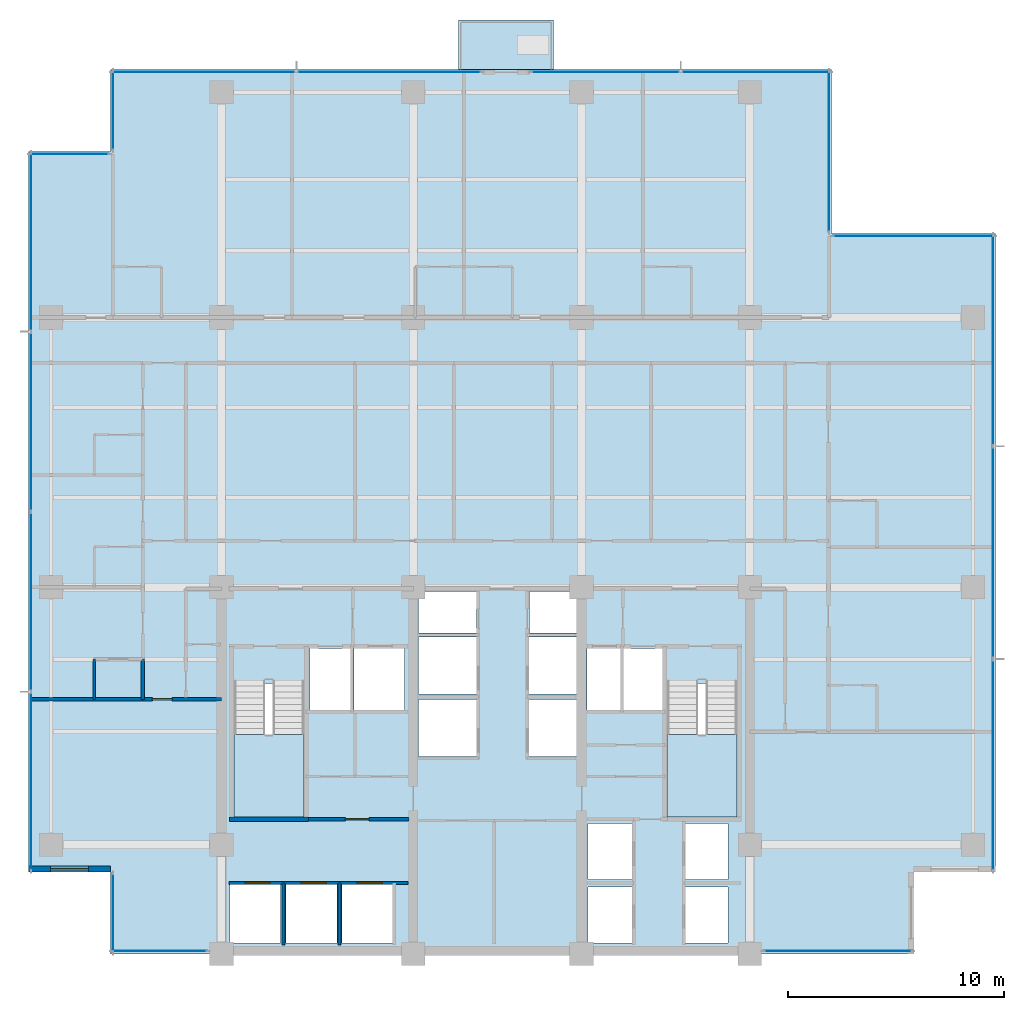
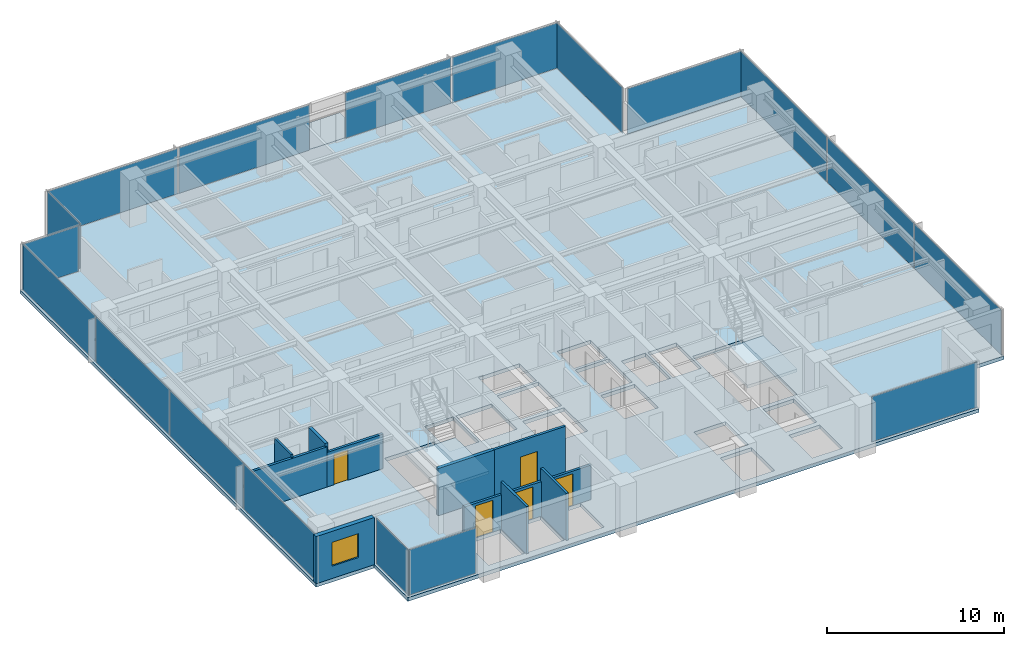
# One storey, part 6 of 16: 18 plates, 10 walls, 5 doors, 4 slabs, 1 window, 6 openings, 13 elements without a shape of their own.
"""IFC4 building model written with IfcOpenShell, lengths in metres."""

import ifcopenshell
import ifcopenshell.guid

model = None  # the IFC model being written
_history = None  # IfcOwnerHistory: only IFC2X3 demands one
_inside = {}  # id of a spatial element -> (the spatial element, [elements in it])
_under = {}  # id of a project, library or spatial element -> (it, [spatial elements below it])
_declared = {}  # id of a project -> (the project, [libraries it declares])
_typed = {}  # id of a type object -> (the type object, [elements of that type])
_made_of = {}  # id of a material, layer set ... -> (it, [elements and type objects made of it])


def new_model(schema):
    """Start an empty IFC model of exactly this schema.

    Asked for "IFC4X3", IfcOpenShell would pick the latest addendum, in which some entities
    have other attributes; the version numbers below select the first issue.
    IFC2X3 requires an IfcOwnerHistory on every rooted entity: one is made here for all.
    """
    global model, _history
    if schema == "IFC4X3":
        model = ifcopenshell.file(schema_version=(4, 3, 0, 0))
    else:
        model = ifcopenshell.file(schema=schema)
    _inside.clear()
    _under.clear()
    _declared.clear()
    _typed.clear()
    _made_of.clear()
    _history = None
    if model.schema == "IFC2X3":
        org = make("IfcOrganization", Name="unknown")
        user = make(
            "IfcPersonAndOrganization",
            ThePerson=make("IfcPerson", FamilyName="unknown"),
            TheOrganization=org,
        )
        app = make(
            "IfcApplication",
            ApplicationDeveloper=org,
            Version="unknown",
            ApplicationFullName="unknown",
            ApplicationIdentifier="unknown",
        )
        _history = make(
            "IfcOwnerHistory",
            OwningUser=user,
            OwningApplication=app,
            ChangeAction="ADDED",
            CreationDate=0,
        )
    return model


def make(cls, **values):
    """One entity of the class cls with the attributes given. An attribute that is None is left unset."""
    return model.create_entity(
        cls, **{name: value for name, value in values.items() if value is not None}
    )


def rooted(cls, **values):
    """An entity with a GlobalId (a new one), such as an element, a storey or a relation."""
    return make(cls, GlobalId=ifcopenshell.guid.new(), OwnerHistory=_history, **values)


def si_unit(unit_type, name, prefix=None):
    """IfcSIUnit, for example si_unit("LENGTHUNIT", "METRE", prefix="MILLI")."""
    return make("IfcSIUnit", UnitType=unit_type, Prefix=prefix, Name=name)


def assignment(units):
    """IfcUnitAssignment: the units of a project."""
    return None if units is None else make("IfcUnitAssignment", Units=units)


def point(xyz):
    """IfcCartesianPoint."""
    return None if xyz is None else make("IfcCartesianPoint", Coordinates=xyz)


def direction(xyz):
    """IfcDirection."""
    return None if xyz is None else make("IfcDirection", DirectionRatios=xyz)


def frame(location, z_axis=None, x_axis=None):
    """IfcAxis2Placement3D, a coordinate frame: its origin and axes. An axis left out is left unset."""
    return make(
        "IfcAxis2Placement3D",
        Location=point(location),
        Axis=direction(z_axis),
        RefDirection=direction(x_axis),
    )


def frame_2d(location, x_axis=None):
    """IfcAxis2Placement2D, a coordinate frame in the plane: its origin and x axis."""
    return make(
        "IfcAxis2Placement2D", Location=point(location), RefDirection=direction(x_axis)
    )


def origin():
    """The frame at (0, 0, 0) with its axes left unset."""
    return frame((0.0, 0.0, 0.0))


def origin_2d():
    """The frame at (0, 0) in the plane with its x axis left unset."""
    return frame_2d((0.0, 0.0))


def place(relative_to, where):
    """IfcLocalPlacement: puts the frame where relative to a parent placement (None: the world)."""
    return make(
        "IfcLocalPlacement", PlacementRelTo=relative_to, RelativePlacement=where
    )


def context(
    kind, dimensions, precision=None, world=None, true_north=None, identifier=None
):
    """IfcGeometricRepresentationContext, for example the 3D "Model" context."""
    return make(
        "IfcGeometricRepresentationContext",
        ContextIdentifier=identifier,
        ContextType=kind,
        CoordinateSpaceDimension=dimensions,
        Precision=precision,
        WorldCoordinateSystem=world,
        TrueNorth=true_north,
    )


def subcontext(parent, identifier, kind, view, scale=None):
    """IfcGeometricRepresentationSubContext, for example "Body" below "Model"."""
    return make(
        "IfcGeometricRepresentationSubContext",
        ContextIdentifier=identifier,
        ContextType=kind,
        ParentContext=parent,
        TargetScale=scale,
        TargetView=view,
    )


def project(units=None, contexts=None):
    """IfcProject with its units and contexts."""
    return rooted(
        "IfcProject",
        Name="project",
        RepresentationContexts=contexts,
        UnitsInContext=assignment(units),
    )


def spatial(cls, under=None, at=None, **own):
    """A site, building, storey or space (cls), placed at a placement, below another one or the project."""
    s = rooted(cls, ObjectPlacement=at, **own)
    if under is not None:
        _under.setdefault(under.id(), (under, []))[1].append(s)
    return s


def polyline(points):
    """IfcPolyline through the points."""
    return make("IfcPolyline", Points=[point(p) for p in points])


def profile(cls, at=None, kind="AREA", **sizes):
    """A parametric profile (cls). Its sizes go by their IFC names, for example OverallWidth=200.0."""
    return make(cls, ProfileType=kind, Position=at, **sizes)


def rectangle(**sizes):
    """IfcRectangleProfileDef."""
    return profile("IfcRectangleProfileDef", **sizes)


def outline(outer, holes=None, kind="AREA"):
    """IfcArbitraryClosedProfileDef: a profile drawn as a closed curve; with holes, ...WithVoids."""
    if holes is None:
        return make("IfcArbitraryClosedProfileDef", ProfileType=kind, OuterCurve=outer)
    return make(
        "IfcArbitraryProfileDefWithVoids",
        ProfileType=kind,
        OuterCurve=outer,
        InnerCurves=holes,
    )


def extrude(swept, where, along, depth):
    """IfcExtrudedAreaSolid: the profile swept, set in the frame where, extruded along a direction by depth."""
    return make(
        "IfcExtrudedAreaSolid",
        SweptArea=swept,
        Position=where,
        ExtrudedDirection=direction(along),
        Depth=depth,
    )


def shape(context_of_items, identifier, shape_type, items):
    """IfcShapeRepresentation: the items that make up one representation, for example the "Body"."""
    return make(
        "IfcShapeRepresentation",
        ContextOfItems=context_of_items,
        RepresentationIdentifier=identifier,
        RepresentationType=shape_type,
        Items=items,
    )


def material(Name=None, Category=None):
    """IfcMaterial."""
    return make("IfcMaterial", Name=Name, Category=Category)


def layer(
    of_material, thickness, ventilated=None, Name=None, Category=None, Priority=None
):
    """IfcMaterialLayer: one layer of a wall or slab, of a material (None: an air gap)."""
    return make(
        "IfcMaterialLayer",
        Material=of_material,
        LayerThickness=thickness,
        IsVentilated=ventilated,
        Name=Name,
        Category=Category,
        Priority=Priority,
    )


def layer_set(layers, Name=None):
    """IfcMaterialLayerSet."""
    return make("IfcMaterialLayerSet", MaterialLayers=layers, LayerSetName=Name)


def made_of(thing, what):
    """Note that an element or type object is made of a material, layer set ...; save() writes the relation."""
    if what is not None:
        _made_of.setdefault(what.id(), (what, []))[1].append(thing)
    return thing


def type_object(cls, material=None, **own):
    """A type object (cls), such as IfcWallType, which elements share."""
    return made_of(rooted(cls, **own), material)


def element(
    cls,
    number,
    at=None,
    inside=None,
    cuts=None,
    type_object=None,
    material=None,
    context=None,
    identifier="Body",
    shape_type=None,
    held_by="IfcProductDefinitionShape",
    body=None,
    shapes=None,
    **own,
):
    """One element of the class cls, such as IfcWall. Its Tag is "e" and its number.

    at: its placement. inside: the storey or other place that contains it. cuts: it is an
    opening in that element (IfcRelVoidsElement). A single representation is given by context,
    identifier, shape_type and body (its items); several are given by shapes. held_by: the class
    of the entity that holds the representations. save() writes the other relations.
    """
    e = rooted(cls, Tag="e%d" % number, ObjectPlacement=at, **own)
    if body is not None:
        shapes = [shape(context, identifier, shape_type, body)]
    if shapes is not None:
        e.Representation = make(held_by, Representations=shapes)
    if inside is not None:
        _inside.setdefault(inside.id(), (inside, []))[1].append(e)
    if cuts is not None:
        rooted(
            "IfcRelVoidsElement", RelatingBuildingElement=cuts, RelatedOpeningElement=e
        )
    if type_object is not None:
        _typed.setdefault(type_object.id(), (type_object, []))[1].append(e)
    return made_of(e, material)


def fill(opening, filler):
    """IfcRelFillsElement: the door or window that sits in an opening."""
    return rooted(
        "IfcRelFillsElement",
        RelatingOpeningElement=opening,
        RelatedBuildingElement=filler,
    )


def aggregate(whole, parts):
    """IfcRelAggregates: a whole, such as a stair, and the parts it consists of."""
    return rooted("IfcRelAggregates", RelatingObject=whole, RelatedObjects=parts)


def save(model, path):
    """Write the relations noted so far, then the file.

    IfcRelAggregates (storeys below a building ...), IfcRelContainedInSpatialStructure (elements
    in a storey), IfcRelDefinesByType, IfcRelAssociatesMaterial and IfcRelDeclares: one each for
    every whole, place, type object, material and project.
    """
    for whole, parts in _under.values():
        aggregate(whole, parts)
    for where, things in _inside.values():
        rooted(
            "IfcRelContainedInSpatialStructure",
            RelatedElements=things,
            RelatingStructure=where,
        )
    for kind, things in _typed.values():
        rooted("IfcRelDefinesByType", RelatedObjects=things, RelatingType=kind)
    for what, things in _made_of.values():
        rooted("IfcRelAssociatesMaterial", RelatedObjects=things, RelatingMaterial=what)
    for by, libraries in _declared.values():
        rooted("IfcRelDeclares", RelatingContext=by, RelatedDefinitions=libraries)
    model.write(path)


model = new_model("IFC4")

# Units and contexts
model_context = context("Model", 3, precision=1e-05, world=origin(), true_north=direction((0.0, 1.0)))
body_context = subcontext(model_context, "Body", "Model", "MODEL_VIEW")
ifc_project = project(units=[si_unit("LENGTHUNIT", "METRE"), si_unit("AREAUNIT", "SQUARE_METRE"), si_unit("VOLUMEUNIT", "CUBIC_METRE"), si_unit("PLANEANGLEUNIT", "RADIAN"), si_unit("MASSUNIT", "GRAM", prefix="KILO")], contexts=[model_context])

# Site, building, storey
site_placement = place(None, origin())
site = spatial("IfcSite", under=ifc_project, at=site_placement, CompositionType="ELEMENT")
building_placement = place(site_placement, origin())
building = spatial("IfcBuilding", under=site, at=building_placement, Name="Qalmaran Belvedere Hotel", CompositionType="ELEMENT")
storey_placement = place(building_placement, frame((0.0, 0.0, 145.60009765625)))
storey = spatial("IfcBuildingStorey", under=building, at=storey_placement, Name="L36", CompositionType="ELEMENT", Elevation=145.60009765625)

# Curtain wall, plate
ifc_material_1 = material(Name="Anodised Bronze Aluminium", Category="aluminium")
ifc_layer_1 = layer(ifc_material_1, 0.195068359375, Name="Anodised Bronze Aluminium")
ifc_layer_set_1 = layer_set([ifc_layer_1], Name="Anodised Bronze Aluminium")
curtain_wall_type = type_object("IfcCurtainWallType", Name="CW4-TOWER-HIGHMID", PredefinedType="NOTDEFINED", material=ifc_layer_set_1)
curtain_wall_1_placement = place(storey_placement, origin())
curtain_wall_1 = element("IfcCurtainWall", 1, at=curtain_wall_1_placement, inside=storey, type_object=curtain_wall_type, Name="L36 Curtain Wall CW4", PredefinedType="NOTDEFINED")
ifc_material_2 = material(Name="Solar-Control Double Glazing", Category="glass")
ifc_layer_2 = layer(ifc_material_2, 0.028076171875, Name="Solar-Control Double Glazing")
ifc_layer_set_2 = layer_set([ifc_layer_2], Name="Solar-Control Double Glazing")
plate_type = type_object("IfcPlateType", Name="CWP-VISION-28", PredefinedType="CURTAIN_PANEL", material=ifc_layer_set_2)
plate_1_placement = place(storey_placement, frame((17.429931640625, 3.6201171875, 0.06494140625), z_axis=(0.0, 0.0, 1.0), x_axis=(1.0, 0.0, 0.0)))
plate_1 = element("IfcPlate", 2, at=plate_1_placement, type_object=plate_type, Name="CW4 panel 1.1", PredefinedType="CURTAIN_PANEL", context=body_context, shape_type="SweptSolid", body=[
    extrude(rectangle(XDim=4.419921875, YDim=0.028076171875, at=origin_2d()), origin(), (0.0, 0.0, 1.0), 3.1201171875),
])
aggregate(curtain_wall_1, [plate_1])

curtain_wall_2_placement = place(storey_placement, origin())
curtain_wall_2 = element("IfcCurtainWall", 3, at=curtain_wall_2_placement, inside=storey, type_object=curtain_wall_type, Name="L36 Curtain Wall CW4", PredefinedType="NOTDEFINED")
plate_2_placement = place(storey_placement, frame((48.89501953125, 3.6201171875, 0.06494140625), z_axis=(0.0, 0.0, 1.0), x_axis=(1.0, 0.0, 0.0)))
plate_2 = element("IfcPlate", 4, at=plate_2_placement, type_object=plate_type, Name="CW4 panel 1.1", PredefinedType="CURTAIN_PANEL", context=body_context, shape_type="SweptSolid", body=[
    extrude(rectangle(XDim=6.8701171875, YDim=0.028076171875, at=origin_2d()), origin(), (0.0, 0.0, 1.0), 3.1201171875),
])
aggregate(curtain_wall_2, [plate_2])

# Curtain wall, plates
curtain_wall_3_placement = place(storey_placement, origin())
curtain_wall_3 = element("IfcCurtainWall", 5, at=curtain_wall_3_placement, inside=storey, type_object=curtain_wall_type, Name="L36 Curtain Wall CW4", PredefinedType="NOTDEFINED")
plate_3_placement = place(storey_placement, frame((56.080078125, 12.250732421875, 0.06494140625), z_axis=(0.0, 0.0, 1.0), x_axis=(0.0, 1.0, 0.0)))
plate_3 = element("IfcPlate", 6, at=plate_3_placement, type_object=plate_type, Name="CW4 panel 1.1", PredefinedType="CURTAIN_PANEL", context=body_context, shape_type="SweptSolid", body=[
    extrude(rectangle(XDim=9.76171875, YDim=0.028076171875, at=origin_2d()), origin(), (0.0, 0.0, 1.0), 3.1201171875),
])
plate_4_placement = place(storey_placement, frame((56.080078125, 22.10009765625, 0.06494140625), z_axis=(0.0, 0.0, 1.0), x_axis=(0.0, 1.0, 0.0)))
plate_4 = element("IfcPlate", 7, at=plate_4_placement, type_object=plate_type, Name="CW4 panel 2.1", PredefinedType="CURTAIN_PANEL", context=body_context, shape_type="SweptSolid", body=[
    extrude(rectangle(XDim=9.796630859375, YDim=0.028076171875, at=origin_2d()), origin(), (0.0, 0.0, 1.0), 3.1201171875),
])
plate_5_placement = place(storey_placement, frame((56.080078125, 31.94921875, 0.06494140625), z_axis=(0.0, 0.0, 1.0), x_axis=(0.0, 1.0, 0.0)))
plate_5 = element("IfcPlate", 8, at=plate_5_placement, type_object=plate_type, Name="CW4 panel 3.1", PredefinedType="CURTAIN_PANEL", context=body_context, shape_type="SweptSolid", body=[
    extrude(rectangle(XDim=9.76171875, YDim=0.028076171875, at=origin_2d()), origin(), (0.0, 0.0, 1.0), 3.1201171875),
])
aggregate(curtain_wall_3, [plate_3, plate_4, plate_5])

# Curtain wall, plate
curtain_wall_4_placement = place(storey_placement, origin())
curtain_wall_4 = element("IfcCurtainWall", 9, at=curtain_wall_4_placement, inside=storey, type_object=curtain_wall_type, Name="L36 Curtain Wall CW4", PredefinedType="NOTDEFINED")
plate_6_placement = place(storey_placement, frame((52.39990234375, 36.780029296875, 0.06494140625), z_axis=(0.0, 0.0, 1.0), x_axis=(-1.0, 0.0, 0.0)))
plate_6 = element("IfcPlate", 10, at=plate_6_placement, type_object=plate_type, Name="CW4 panel 1.1", PredefinedType="CURTAIN_PANEL", context=body_context, shape_type="SweptSolid", body=[
    extrude(rectangle(XDim=7.4599609375, YDim=0.028076171875, at=origin_2d()), origin(), (0.0, 0.0, 1.0), 3.1201171875),
])
aggregate(curtain_wall_4, [plate_6])

curtain_wall_5_placement = place(storey_placement, origin())
curtain_wall_5 = element("IfcCurtainWall", 11, at=curtain_wall_5_placement, inside=storey, type_object=curtain_wall_type, Name="L36 Curtain Wall CW4", PredefinedType="NOTDEFINED")
plate_7_placement = place(storey_placement, frame((48.47998046875, 40.699951171875, 0.06494140625), z_axis=(0.0, 0.0, 1.0), x_axis=(0.0, 1.0, 0.0)))
plate_7 = element("IfcPlate", 12, at=plate_7_placement, type_object=plate_type, Name="CW4 panel 1.1", PredefinedType="CURTAIN_PANEL", context=body_context, shape_type="SweptSolid", body=[
    extrude(rectangle(XDim=7.4599609375, YDim=0.028076171875, at=origin_2d()), origin(), (0.0, 0.0, 1.0), 3.1201171875),
])
aggregate(curtain_wall_5, [plate_7])

# Curtain wall, plates
curtain_wall_6_placement = place(storey_placement, origin())
curtain_wall_6 = element("IfcCurtainWall", 13, at=curtain_wall_6_placement, inside=storey, type_object=curtain_wall_type, Name="L36 Curtain Wall CW4", PredefinedType="NOTDEFINED")
plate_8_placement = place(storey_placement, frame((28.070068359375, 44.3798828125, 0.06494140625), z_axis=(0.0, 0.0, 1.0), x_axis=(-1.0, 0.0, 0.0)))
plate_8 = element("IfcPlate", 14, at=plate_8_placement, type_object=plate_type, Name="CW4 panel 1.1", PredefinedType="CURTAIN_PANEL", context=body_context, shape_type="SweptSolid", body=[
    extrude(rectangle(XDim=8.52001953125, YDim=0.028076171875, at=origin_2d()), origin(), (0.0, 0.0, 1.0), 3.1201171875),
])
plate_9_placement = place(storey_placement, frame((19.47998046875, 44.3798828125, 0.06494140625), z_axis=(0.0, 0.0, 1.0), x_axis=(-1.0, 0.0, 0.0)))
plate_9 = element("IfcPlate", 15, at=plate_9_placement, type_object=plate_type, Name="CW4 panel 2.1", PredefinedType="CURTAIN_PANEL", context=body_context, shape_type="SweptSolid", body=[
    extrude(rectangle(XDim=8.52001953125, YDim=0.028076171875, at=origin_2d()), origin(), (0.0, 0.0, 1.0), 3.1201171875),
])
aggregate(curtain_wall_6, [plate_8, plate_9])

curtain_wall_7_placement = place(storey_placement, origin())
curtain_wall_7 = element("IfcCurtainWall", 16, at=curtain_wall_7_placement, inside=storey, type_object=curtain_wall_type, Name="L36 Curtain Wall CW4", PredefinedType="NOTDEFINED")
plate_10_placement = place(storey_placement, frame((45.08251953125, 44.3798828125, 0.06494140625), z_axis=(0.0, 0.0, 1.0), x_axis=(-1.0, 0.0, 0.0)))
plate_10 = element("IfcPlate", 17, at=plate_10_placement, type_object=plate_type, Name="CW4 panel 1.1", PredefinedType="CURTAIN_PANEL", context=body_context, shape_type="SweptSolid", body=[
    extrude(rectangle(XDim=6.89501953125, YDim=0.028076171875, at=origin_2d()), origin(), (0.0, 0.0, 1.0), 3.1201171875),
])
plate_11_placement = place(storey_placement, frame((38.117431640625, 44.3798828125, 0.06494140625), z_axis=(0.0, 0.0, 1.0), x_axis=(-1.0, 0.0, 0.0)))
plate_11 = element("IfcPlate", 18, at=plate_11_placement, type_object=plate_type, Name="CW4 panel 2.1", PredefinedType="CURTAIN_PANEL", context=body_context, shape_type="SweptSolid", body=[
    extrude(rectangle(XDim=6.89501953125, YDim=0.028076171875, at=origin_2d()), origin(), (0.0, 0.0, 1.0), 3.1201171875),
])
aggregate(curtain_wall_7, [plate_10, plate_11])

# Curtain wall, plate
curtain_wall_8_placement = place(storey_placement, origin())
curtain_wall_8 = element("IfcCurtainWall", 19, at=curtain_wall_8_placement, inside=storey, type_object=curtain_wall_type, Name="L36 Curtain Wall CW4", PredefinedType="NOTDEFINED")
plate_12_placement = place(storey_placement, frame((15.27001953125, 42.60009765625, 0.06494140625), z_axis=(0.0, 0.0, 1.0), x_axis=(0.0, -1.0, 0.0)))
plate_12 = element("IfcPlate", 20, at=plate_12_placement, type_object=plate_type, Name="CW4 panel 1.1", PredefinedType="CURTAIN_PANEL", context=body_context, shape_type="SweptSolid", body=[
    extrude(rectangle(XDim=3.659912109375, YDim=0.028076171875, at=origin_2d()), origin(), (0.0, 0.0, 1.0), 3.1201171875),
])
aggregate(curtain_wall_8, [plate_12])

curtain_wall_9_placement = place(storey_placement, origin())
curtain_wall_9 = element("IfcCurtainWall", 21, at=curtain_wall_9_placement, inside=storey, type_object=curtain_wall_type, Name="L36 Curtain Wall CW4", PredefinedType="NOTDEFINED")
plate_13_placement = place(storey_placement, frame((13.25, 40.580078125, 0.06494140625), z_axis=(0.0, 0.0, 1.0), x_axis=(-1.0, 0.0, 0.0)))
plate_13 = element("IfcPlate", 22, at=plate_13_placement, type_object=plate_type, Name="CW4 panel 1.1", PredefinedType="CURTAIN_PANEL", context=body_context, shape_type="SweptSolid", body=[
    extrude(rectangle(XDim=3.659912109375, YDim=0.028076171875, at=origin_2d()), origin(), (0.0, 0.0, 1.0), 3.1201171875),
])
aggregate(curtain_wall_9, [plate_13])

# Curtain wall, plates
curtain_wall_10_placement = place(storey_placement, origin())
curtain_wall_10 = element("IfcCurtainWall", 23, at=curtain_wall_10_placement, inside=storey, type_object=curtain_wall_type, Name="L36 Curtain Wall CW4", PredefinedType="NOTDEFINED")
plate_14_placement = place(storey_placement, frame((11.469970703125, 36.507568359375, 0.06494140625), z_axis=(0.0, 0.0, 1.0), x_axis=(0.0, -1.0, 0.0)))
plate_14 = element("IfcPlate", 24, at=plate_14_placement, type_object=plate_type, Name="CW4 panel 1.1", PredefinedType="CURTAIN_PANEL", context=body_context, shape_type="SweptSolid", body=[
    extrude(rectangle(XDim=8.2451171875, YDim=0.028076171875, at=origin_2d()), origin(), (0.0, 0.0, 1.0), 3.1201171875),
])
plate_15_placement = place(storey_placement, frame((11.469970703125, 28.175048828125, 0.06494140625), z_axis=(0.0, 0.0, 1.0), x_axis=(0.0, -1.0, 0.0)))
plate_15 = element("IfcPlate", 25, at=plate_15_placement, type_object=plate_type, Name="CW4 panel 2.1", PredefinedType="CURTAIN_PANEL", context=body_context, shape_type="SweptSolid", body=[
    extrude(rectangle(XDim=8.280029296875, YDim=0.028076171875, at=origin_2d()), origin(), (0.0, 0.0, 1.0), 3.1201171875),
])
plate_16_placement = place(storey_placement, frame((11.469970703125, 19.824951171875, 0.06494140625), z_axis=(0.0, 0.0, 1.0), x_axis=(0.0, -1.0, 0.0)))
plate_16 = element("IfcPlate", 26, at=plate_16_placement, type_object=plate_type, Name="CW4 panel 3.1", PredefinedType="CURTAIN_PANEL", context=body_context, shape_type="SweptSolid", body=[
    extrude(rectangle(XDim=8.280029296875, YDim=0.028076171875, at=origin_2d()), origin(), (0.0, 0.0, 1.0), 3.1201171875),
])
plate_17_placement = place(storey_placement, frame((11.469970703125, 11.492431640625, 0.06494140625), z_axis=(0.0, 0.0, 1.0), x_axis=(0.0, -1.0, 0.0)))
plate_17 = element("IfcPlate", 27, at=plate_17_placement, type_object=plate_type, Name="CW4 panel 4.1", PredefinedType="CURTAIN_PANEL", context=body_context, shape_type="SweptSolid", body=[
    extrude(rectangle(XDim=8.2451171875, YDim=0.028076171875, at=origin_2d()), origin(), (0.0, 0.0, 1.0), 3.1201171875),
])
aggregate(curtain_wall_10, [plate_14, plate_15, plate_16, plate_17])

# Curtain wall, plate
curtain_wall_11_placement = place(storey_placement, origin())
curtain_wall_11 = element("IfcCurtainWall", 28, at=curtain_wall_11_placement, inside=storey, type_object=curtain_wall_type, Name="L36 Curtain Wall CW4", PredefinedType="NOTDEFINED")
plate_18_placement = place(storey_placement, frame((15.27001953125, 5.39990234375, 0.06494140625), z_axis=(0.0, 0.0, 1.0), x_axis=(0.0, -1.0, 0.0)))
plate_18 = element("IfcPlate", 29, at=plate_18_placement, type_object=plate_type, Name="CW4 panel 1.1", PredefinedType="CURTAIN_PANEL", context=body_context, shape_type="SweptSolid", body=[
    extrude(rectangle(XDim=3.659912109375, YDim=0.028076171875, at=origin_2d()), origin(), (0.0, 0.0, 1.0), 3.1201171875),
])
aggregate(curtain_wall_11, [plate_18])

# Slab
ifc_material_3 = material(Name="Concrete C40/50", Category="concrete")
ifc_layer_3 = layer(ifc_material_3, 0.219970703125, Name="Concrete C40/50")
ifc_layer_set_3 = layer_set([ifc_layer_3], Name="Concrete C40/50")
slab_type_1 = type_object("IfcSlabType", Name="SLB-BAL-220", PredefinedType="USERDEFINED", material=ifc_layer_set_3)
slab_1_placement = place(storey_placement, frame((0.0, 0.0, -0.22021484375)))
element("IfcSlab", 30, at=slab_1_placement, inside=storey, type_object=slab_type_1, Name="L36 Planted Tree Balcony Slab 1", ObjectType="BALCONY", PredefinedType="USERDEFINED", context=body_context, shape_type="SweptSolid", body=[
    extrude(outline(polyline([(31.300048828125, 44.5), (35.699951171875, 44.5), (35.699951171875, 46.800048828125), (31.300048828125, 46.800048828125), (31.300048828125, 44.5)])), origin(), (0.0, 0.0, 1.0), 0.22021484375),
])

# Stair, slab
stair_type_1 = type_object("IfcStairType", Name="STR-ST-1-1450-R1750", PredefinedType="HALF_TURN_STAIR", material=ifc_material_3)
stair_1_placement = place(storey_placement, origin())
stair_1 = element("IfcStair", 31, at=stair_1_placement, inside=storey, type_object=stair_type_1, Name="L36 West Core Exit Stair ST-1", PredefinedType="HALF_TURN_STAIR")
ifc_layer_4 = layer(ifc_material_3, 0.199951171875, Name="Concrete C40/50")
ifc_layer_set_4 = layer_set([ifc_layer_4], Name="Concrete C40/50")
slab_type_2 = type_object("IfcSlabType", Name="SLB-STAIR-LANDING-200", PredefinedType="LANDING", material=ifc_layer_set_4)
slab_2_placement = place(storey_placement, frame((0.0, 0.0, 1.5498046875)))
slab_2 = element("IfcSlab", 32, at=slab_2_placement, type_object=slab_type_2, Name="ST-1 landing 1", PredefinedType="LANDING", context=body_context, shape_type="SweptSolid", body=[
    extrude(outline(polyline([(20.8798828125, 13.669921875), (20.8798828125, 9.85009765625), (24.1201171875, 9.85009765625), (24.1201171875, 13.669921875), (20.8798828125, 13.669921875)])), origin(), (0.0, 0.0, 1.0), 0.2001953125),
])
aggregate(stair_1, [slab_2])

stair_type_2 = type_object("IfcStairType", Name="STR-ST-2-1450-R1750", PredefinedType="HALF_TURN_STAIR", material=ifc_material_3)
stair_2_placement = place(storey_placement, origin())
stair_2 = element("IfcStair", 33, at=stair_2_placement, inside=storey, type_object=stair_type_2, Name="L36 East Core Exit Stair ST-2", PredefinedType="HALF_TURN_STAIR")
slab_3_placement = place(storey_placement, frame((0.0, 0.0, 1.5498046875)))
slab_3 = element("IfcSlab", 34, at=slab_3_placement, type_object=slab_type_2, Name="ST-2 landing 1", PredefinedType="LANDING", context=body_context, shape_type="SweptSolid", body=[
    extrude(outline(polyline([(40.9599609375, 13.669921875), (40.9599609375, 9.85009765625), (44.199951171875, 9.85009765625), (44.199951171875, 13.669921875), (40.9599609375, 13.669921875)])), origin(), (0.0, 0.0, 1.0), 0.2001953125),
])
aggregate(stair_2, [slab_3])

# Slab
ifc_layer_5 = layer(ifc_material_3, 0.25, Name="Concrete C40/50")
ifc_layer_set_5 = layer_set([ifc_layer_5], Name="Concrete C40/50")
slab_type_3 = type_object("IfcSlabType", Name="SLB-Z3-250", PredefinedType="FLOOR", material=ifc_layer_set_5)
slab_4_placement = place(storey_placement, frame((0.0, 0.0, -0.25)))
element("IfcSlab", 35, at=slab_4_placement, inside=storey, type_object=slab_type_3, Name="L36 Structural Floor Slab", PredefinedType="FLOOR", context=body_context, shape_type="SweptSolid", body=[
    extrude(outline(polyline([(15.14990234375, 3.5), (52.39990234375, 3.5), (52.39990234375, 7.300048828125), (56.199951171875, 7.300048828125), (56.199951171875, 36.89990234375), (48.60009765625, 36.89990234375), (48.60009765625, 44.5), (15.14990234375, 44.5), (15.14990234375, 40.699951171875), (11.35009765625, 40.699951171875), (11.35009765625, 7.300048828125), (15.14990234375, 7.300048828125), (15.14990234375, 3.5)]), holes=[polyline([(20.8798828125, 9.85009765625), (24.1201171875, 9.85009765625), (24.1201171875, 16.0400390625), (20.8798828125, 16.0400390625), (20.8798828125, 9.85009765625)]), polyline([(40.9599609375, 9.85009765625), (44.199951171875, 9.85009765625), (44.199951171875, 16.0400390625), (40.9599609375, 16.0400390625), (40.9599609375, 9.85009765625)]), polyline([(29.445068359375, 12.64990234375), (32.14990234375, 12.64990234375), (32.14990234375, 15.300048828125), (29.445068359375, 15.300048828125), (29.445068359375, 12.64990234375)]), polyline([(29.445068359375, 15.550048828125), (32.14990234375, 15.550048828125), (32.14990234375, 18.199951171875), (29.445068359375, 18.199951171875), (29.445068359375, 15.550048828125)]), polyline([(34.550048828125, 12.64990234375), (36.7548828125, 12.64990234375), (36.7548828125, 15.300048828125), (34.550048828125, 15.300048828125), (34.550048828125, 12.64990234375)]), polyline([(34.550048828125, 15.550048828125), (36.7548828125, 15.550048828125), (36.7548828125, 18.199951171875), (34.550048828125, 18.199951171875), (34.550048828125, 15.550048828125)]), polyline([(37.300048828125, 4.0), (39.35009765625, 4.0), (39.35009765625, 6.60009765625), (37.300048828125, 6.60009765625), (37.300048828125, 4.0)]), polyline([(37.300048828125, 6.949951171875), (39.35009765625, 6.949951171875), (39.35009765625, 9.550048828125), (37.300048828125, 9.550048828125), (37.300048828125, 6.949951171875)]), polyline([(41.800048828125, 4.0), (43.800048828125, 4.0), (43.800048828125, 6.60009765625), (41.800048828125, 6.60009765625), (41.800048828125, 4.0)]), polyline([(41.800048828125, 6.949951171875), (43.800048828125, 6.949951171875), (43.800048828125, 9.550048828125), (41.800048828125, 9.550048828125), (41.800048828125, 6.949951171875)]), polyline([(20.699951171875, 4.0), (23.050048828125, 4.0), (23.050048828125, 6.699951171875), (20.699951171875, 6.699951171875), (20.699951171875, 4.0)]), polyline([(23.300048828125, 4.0), (25.64990234375, 4.0), (25.64990234375, 6.699951171875), (23.300048828125, 6.699951171875), (23.300048828125, 4.0)]), polyline([(25.89990234375, 4.0), (28.25, 4.0), (28.25, 6.699951171875), (25.89990234375, 6.699951171875), (25.89990234375, 4.0)]), polyline([(24.39990234375, 14.800048828125), (26.300048828125, 14.800048828125), (26.300048828125, 17.64990234375), (24.39990234375, 17.64990234375), (24.39990234375, 14.800048828125)]), polyline([(38.949951171875, 14.800048828125), (40.820068359375, 14.800048828125), (40.820068359375, 17.64990234375), (38.949951171875, 17.64990234375), (38.949951171875, 14.800048828125)]), polyline([(26.449951171875, 14.800048828125), (28.800048828125, 14.800048828125), (28.800048828125, 17.64990234375), (26.449951171875, 17.64990234375), (26.449951171875, 14.800048828125)]), polyline([(37.25, 14.800048828125), (38.800048828125, 14.800048828125), (38.800048828125, 17.64990234375), (37.25, 17.64990234375), (37.25, 14.800048828125)]), polyline([(29.445068359375, 18.3798828125), (32.1201171875, 18.3798828125), (32.1201171875, 20.300048828125), (29.445068359375, 20.300048828125), (29.445068359375, 18.3798828125)]), polyline([(34.580078125, 18.3798828125), (36.7548828125, 18.3798828125), (36.7548828125, 20.300048828125), (34.580078125, 20.300048828125), (34.580078125, 18.3798828125)])]), origin(), (0.0, 0.0, 1.0), 0.25),
])

# Wall, opening, window
ifc_material_4 = material(Name="Anodised Bronze Cladding")
ifc_layer_6 = layer(ifc_material_4, 0.280029296875, Name="Anodised Bronze Cladding")
ifc_layer_set_6 = layer_set([ifc_layer_6], Name="Anodised Bronze Cladding")
wall_type_1 = type_object("IfcWallType", Name="WL-EXT-BRNZ-280", PredefinedType="SOLIDWALL", material=ifc_layer_set_6)
wall_1_placement = place(storey_placement, frame((11.35009765625, 7.419921875, 0.0), z_axis=(0.0, 0.0, 1.0), x_axis=(1.0, 0.0, 0.0)))
wall_1 = element("IfcWall", 36, at=wall_1_placement, inside=storey, type_object=wall_type_1, Name="L36 Corner Notch Wall 10", PredefinedType="SOLIDWALL", context=body_context, shape_type="SweptSolid", body=[
    extrude(rectangle(XDim=3.7998046875, YDim=0.280029296875, at=frame_2d((1.89990234375, 0.0))), origin(), (0.0, 0.0, 1.0), 3.25),
])
opening_1_placement = place(wall_1_placement, frame((1.02490234375, 0.0, 0.85009765625)))
opening_1 = element("IfcOpeningElement", 37, at=opening_1_placement, cuts=wall_1, Name="Opening W-N17", PredefinedType="OPENING", context=body_context, shape_type="SweptSolid", body=[
    extrude(rectangle(XDim=1.75, YDim=1.64990234375, at=frame_2d((0.875, 0.824951171875))), frame((0.0, 0.14990234375, 0.0), z_axis=(0.0, -1.0, 0.0), x_axis=(1.0, 0.0, 0.0)), (0.0, 0.0, 1.0), 0.300048828125),
])
window_type = type_object("IfcWindowType", Name="WN-NTC-1750X1650", PartitioningType="SINGLE_PANEL", PredefinedType="WINDOW", material=ifc_material_2)
window_placement = place(opening_1_placement, origin())
window = element("IfcWindow", 38, at=window_placement, inside=storey, type_object=window_type, Name="L36 Corner Notch Window 10", OverallHeight=1.64990234375, OverallWidth=1.75, PartitioningType="SINGLE_PANEL", PredefinedType="WINDOW", context=body_context, shape_type="SweptSolid", body=[
    extrude(rectangle(XDim=1.75, YDim=1.64990234375, at=frame_2d((0.875, 0.824951171875))), frame((0.0, 0.030029296875, 0.0), z_axis=(0.0, -1.0, 0.0), x_axis=(1.0, 0.0, 0.0)), (0.0, 0.0, 1.0), 0.06005859375),
])
fill(opening_1, window)

# Walls
ifc_material_5 = material(Name="Moisture-Resistant Gypsum")
ifc_layer_7 = layer(ifc_material_5, 0.1201171875, Name="Moisture-Resistant Gypsum")
ifc_layer_set_7 = layer_set([ifc_layer_7], Name="Moisture-Resistant Gypsum")
wall_type_2 = type_object("IfcWallType", Name="WL-INT-120-BATH", PredefinedType="PARTITIONING", material=ifc_layer_set_7)
wall_2_placement = place(storey_placement, frame((14.39990234375, 15.300048828125, 0.0), z_axis=(0.0, 0.0, 1.0), x_axis=(0.0, 1.0, 0.0)))
element("IfcWall", 39, at=wall_2_placement, inside=storey, type_object=wall_type_2, Name="L36 Partition WL-L36-WBS00", PredefinedType="PARTITIONING", context=body_context, shape_type="SweptSolid", body=[
    extrude(rectangle(XDim=1.869873046875, YDim=0.1201171875, at=frame_2d((0.93505859375, 0.0))), origin(), (0.0, 0.0, 1.0), 2.98779296875),
])
ifc_material_6 = material(Name="Gypsum Stud Partition")
ifc_layer_8 = layer(ifc_material_6, 0.14990234375, Name="Gypsum Stud Partition")
ifc_layer_set_8 = layer_set([ifc_layer_8], Name="Gypsum Stud Partition")
wall_type_3 = type_object("IfcWallType", Name="WL-INT-150-EI120", PredefinedType="PARTITIONING", material=ifc_layer_set_8)
for number, where, z_axis, x_axis, name in (
    (40, (23.179931640625, 3.89990234375, 0.0), (0.0, 0.0, 1.0), (0.0, 1.0, 0.0), "L36 Partition WL-POM1-L36"),
    (41, (25.780029296875, 3.89990234375, 0.0), (0.0, 0.0, 1.0), (0.0, 1.0, 0.0), "L36 Partition WL-POM2-L36"),
):
    element("IfcWall", number, at=place(storey_placement, frame(where, z_axis=z_axis, x_axis=x_axis)), inside=storey, type_object=wall_type_3, Name=name, PredefinedType="PARTITIONING", context=body_context, shape_type="SweptSolid", body=[
        extrude(rectangle(XDim=2.880126953125, YDim=0.14990234375, at=frame_2d((1.43994140625, 0.0))), origin(), (0.0, 0.0, 1.0), 3.25),
    ])

# Wall, openings, doors
ifc_layer_9 = layer(ifc_material_6, 0.159912109375, Name="Gypsum Stud Partition")
ifc_layer_set_9 = layer_set([ifc_layer_9], Name="Gypsum Stud Partition")
wall_type_4 = type_object("IfcWallType", Name="WL-INT-160-EI120", PredefinedType="PARTITIONING", material=ifc_layer_set_9)
wall_3_placement = place(storey_placement, frame((20.64990234375, 6.780029296875, 0.0), z_axis=(0.0, 0.0, 1.0), x_axis=(1.0, 0.0, 0.0)))
wall_3 = element("IfcWall", 42, at=wall_3_placement, inside=storey, type_object=wall_type_4, Name="L36 Partition WL-POS-L36", PredefinedType="PARTITIONING", context=body_context, shape_type="SweptSolid", body=[
    extrude(rectangle(XDim=8.300048828125, YDim=0.159912109375, at=frame_2d((4.14990234375, 0.0))), origin(), (0.0, 0.0, 1.0), 2.3798828125),
])
opening_2_placement = place(wall_3_placement, frame((0.75, 0.0, 0.0)))
opening_2 = element("IfcOpeningElement", 43, at=opening_2_placement, cuts=wall_3, Name="Opening LD-PO", PredefinedType="OPENING", context=body_context, shape_type="SweptSolid", body=[
    extrude(rectangle(XDim=1.14990234375, YDim=2.199951171875, at=frame_2d((0.574951171875, 1.10009765625))), frame((0.0, 0.08984375, 0.0), z_axis=(0.0, -1.0, 0.0), x_axis=(1.0, 0.0, 0.0)), (0.0, 0.0, 1.0), 0.179931640625),
])
opening_3_placement = place(wall_3_placement, frame((3.35009765625, 0.0, 0.0)))
opening_3 = element("IfcOpeningElement", 44, at=opening_3_placement, cuts=wall_3, Name="Opening LD-PO", PredefinedType="OPENING", context=body_context, shape_type="SweptSolid", body=[
    extrude(rectangle(XDim=1.14990234375, YDim=2.199951171875, at=frame_2d((0.574951171875, 1.10009765625))), frame((0.0, 0.08984375, 0.0), z_axis=(0.0, -1.0, 0.0), x_axis=(1.0, 0.0, 0.0)), (0.0, 0.0, 1.0), 0.179931640625),
])
opening_4_placement = place(wall_3_placement, frame((5.949951171875, 0.0, 0.0)))
opening_4 = element("IfcOpeningElement", 45, at=opening_4_placement, cuts=wall_3, Name="Opening LD-PO", PredefinedType="OPENING", context=body_context, shape_type="SweptSolid", body=[
    extrude(rectangle(XDim=1.14990234375, YDim=2.199951171875, at=frame_2d((0.574951171875, 1.10009765625))), frame((0.0, 0.08984375, 0.0), z_axis=(0.0, -1.0, 0.0), x_axis=(1.0, 0.0, 0.0)), (0.0, 0.0, 1.0), 0.179931640625),
])
door_type_1 = type_object("IfcDoorType", Name="DR-LIFT-PO-1150X2200", OperationType="DOUBLE_DOOR_SLIDING", PredefinedType="DOOR", material=ifc_material_1)
door_1_placement = place(opening_2_placement, origin())
door_1 = element("IfcDoor", 46, at=door_1_placement, inside=storey, type_object=door_type_1, Name="L36 PO1 Shuttle Landing Door", OperationType="DOUBLE_DOOR_SLIDING", OverallHeight=2.199951171875, OverallWidth=1.14990234375, PredefinedType="DOOR", context=body_context, shape_type="SweptSolid", body=[
    extrude(rectangle(XDim=1.14990234375, YDim=2.199951171875, at=frame_2d((0.574951171875, 1.10009765625))), frame((0.0, 0.02490234375, 0.0), z_axis=(0.0, -1.0, 0.0), x_axis=(1.0, 0.0, 0.0)), (0.0, 0.0, 1.0), 0.050048828125),
])
fill(opening_2, door_1)
door_2_placement = place(opening_3_placement, origin())
door_2 = element("IfcDoor", 47, at=door_2_placement, inside=storey, type_object=door_type_1, Name="L36 PO2 Shuttle Landing Door", OperationType="DOUBLE_DOOR_SLIDING", OverallHeight=2.199951171875, OverallWidth=1.14990234375, PredefinedType="DOOR", context=body_context, shape_type="SweptSolid", body=[
    extrude(rectangle(XDim=1.14990234375, YDim=2.199951171875, at=frame_2d((0.574951171875, 1.10009765625))), frame((0.0, 0.02490234375, 0.0), z_axis=(0.0, -1.0, 0.0), x_axis=(1.0, 0.0, 0.0)), (0.0, 0.0, 1.0), 0.050048828125),
])
fill(opening_3, door_2)
door_3_placement = place(opening_4_placement, origin())
door_3 = element("IfcDoor", 48, at=door_3_placement, inside=storey, type_object=door_type_1, Name="L36 PO3 Shuttle Landing Door", OperationType="DOUBLE_DOOR_SLIDING", OverallHeight=2.199951171875, OverallWidth=1.14990234375, PredefinedType="DOOR", context=body_context, shape_type="SweptSolid", body=[
    extrude(rectangle(XDim=1.14990234375, YDim=2.199951171875, at=frame_2d((0.574951171875, 1.10009765625))), frame((0.0, 0.02490234375, 0.0), z_axis=(0.0, -1.0, 0.0), x_axis=(1.0, 0.0, 0.0)), (0.0, 0.0, 1.0), 0.050048828125),
])
fill(opening_4, door_3)

# Wall, opening, door
wall_4_placement = place(storey_placement, frame((24.199951171875, 9.739990234375, 0.0), z_axis=(0.0, 0.0, 1.0), x_axis=(1.0, 0.0, 0.0)))
wall_4 = element("IfcWall", 49, at=wall_4_placement, inside=storey, type_object=wall_type_4, Name="L36 Partition WL-PON-L36", PredefinedType="PARTITIONING", context=body_context, shape_type="SweptSolid", body=[
    extrude(rectangle(XDim=4.800048828125, YDim=0.159912109375, at=frame_2d((2.39990234375, 0.0))), origin(), (0.0, 0.0, 1.0), 3.25),
])
opening_5_placement = place(wall_4_placement, frame((1.85009765625, 0.0, 0.0)))
opening_5 = element("IfcOpeningElement", 50, at=opening_5_placement, cuts=wall_4, Name="Opening FD90", PredefinedType="OPENING", context=body_context, shape_type="SweptSolid", body=[
    extrude(rectangle(XDim=1.10009765625, YDim=2.14990234375, at=frame_2d((0.550048828125, 1.074951171875))), frame((0.0, 0.08984375, 0.0), z_axis=(0.0, -1.0, 0.0), x_axis=(1.0, 0.0, 0.0)), (0.0, 0.0, 1.0), 0.179931640625),
])
ifc_material_7 = material(Name="Steel S355JR", Category="steel")
door_type_2 = type_object("IfcDoorType", Name="DR-FD90-1100X2150", OperationType="NOTDEFINED", PredefinedType="DOOR", material=ifc_material_7)
door_4_placement = place(opening_5_placement, origin())
door_4 = element("IfcDoor", 51, at=door_4_placement, inside=storey, type_object=door_type_2, Name="L36 Shuttle Lobby Passage Door", OperationType="SINGLE_SWING_RIGHT", OverallHeight=2.14990234375, OverallWidth=1.10009765625, PredefinedType="DOOR", context=body_context, shape_type="SweptSolid", body=[
    extrude(rectangle(XDim=1.10009765625, YDim=2.14990234375, at=frame_2d((0.550048828125, 1.074951171875))), frame((0.0, 0.02490234375, 0.0), z_axis=(0.0, -1.0, 0.0), x_axis=(1.0, 0.0, 0.0)), (0.0, 0.0, 1.0), 0.050048828125),
])
fill(opening_5, door_4)

ifc_layer_10 = layer(ifc_material_6, 0.159912109375, Name="Gypsum Stud Partition")
ifc_layer_set_10 = layer_set([ifc_layer_10], Name="Gypsum Stud Partition")
wall_type_5 = type_object("IfcWallType", Name="WL-INT-160-EI60", PredefinedType="PARTITIONING", material=ifc_layer_set_10)
wall_5_placement = place(storey_placement, frame((16.64990234375, 15.300048828125, 0.0), z_axis=(0.0, 0.0, 1.0), x_axis=(1.0, 0.0, 0.0)))
wall_5 = element("IfcWall", 52, at=wall_5_placement, inside=storey, type_object=wall_type_5, Name="L36 Partition WL-L36-SWRL", PredefinedType="PARTITIONING", context=body_context, shape_type="SweptSolid", body=[
    extrude(rectangle(XDim=3.650146484375, YDim=0.159912109375, at=frame_2d((1.8251953125, 0.0))), origin(), (0.0, 0.0, 1.0), 2.3798828125),
])
opening_6_placement = place(wall_5_placement, frame((1.369873046875, 0.0, 0.0), z_axis=(0.0, 0.0, 1.0), x_axis=(-1.0, 0.0, 0.0)))
opening_6 = element("IfcOpeningElement", 53, at=opening_6_placement, cuts=wall_5, Name="Opening FD60S1", PredefinedType="OPENING", context=body_context, shape_type="SweptSolid", body=[
    extrude(rectangle(XDim=0.919921875, YDim=2.080078125, at=frame_2d((0.4599609375, 1.0400390625))), frame((0.0, 0.08984375, 0.0), z_axis=(0.0, -1.0, 0.0), x_axis=(1.0, 0.0, 0.0)), (0.0, 0.0, 1.0), 0.179931640625),
])
ifc_material_8 = material(Name="Engineered Oak Veneer")
door_type_3 = type_object("IfcDoorType", Name="DR-FD60S-920X2080", OperationType="NOTDEFINED", PredefinedType="DOOR", material=ifc_material_8)
door_5_placement = place(opening_6_placement, origin())
door_5 = element("IfcDoor", 54, at=door_5_placement, inside=storey, type_object=door_type_3, Name="L36 SW Lounge Door", OperationType="SINGLE_SWING_RIGHT", OverallHeight=2.080078125, OverallWidth=0.919921875, PredefinedType="DOOR", context=body_context, shape_type="SweptSolid", body=[
    extrude(rectangle(XDim=0.919921875, YDim=2.080078125, at=frame_2d((0.4599609375, 1.0400390625))), frame((0.0, 0.02490234375, 0.0), z_axis=(0.0, -1.0, 0.0), x_axis=(1.0, 0.0, 0.0)), (0.0, 0.0, 1.0), 0.050048828125),
])
fill(opening_6, door_5)

# Walls
wall_6_placement = place(storey_placement, frame((11.469970703125, 15.300048828125, 0.0), z_axis=(0.0, 0.0, 1.0), x_axis=(1.0, 0.0, 0.0)))
element("IfcWall", 55, at=wall_6_placement, inside=storey, type_object=wall_type_5, Name="L36 Partition WL-L36-WBOT", PredefinedType="PARTITIONING", context=body_context, shape_type="SweptSolid", body=[
    extrude(rectangle(XDim=5.179931640625, YDim=0.159912109375, at=frame_2d((2.58984375, 0.0))), origin(), (0.0, 0.0, 1.0), 2.77197265625),
])
ifc_layer_11 = layer(ifc_material_6, 0.179931640625, Name="Gypsum Stud Partition")
ifc_layer_set_11 = layer_set([ifc_layer_11], Name="Gypsum Stud Partition")
wall_type_6 = type_object("IfcWallType", Name="WL-INT-180-EI60", PredefinedType="PARTITIONING", material=ifc_layer_set_11)
wall_7_placement = place(storey_placement, frame((16.64990234375, 15.300048828125, 0.0), z_axis=(0.0, 0.0, 1.0), x_axis=(0.0, 1.0, 0.0)))
element("IfcWall", 56, at=wall_7_placement, inside=storey, type_object=wall_type_6, Name="L36 Partition WL-L36-WBC00", PredefinedType="PARTITIONING", context=body_context, shape_type="SweptSolid", body=[
    extrude(rectangle(XDim=1.869873046875, YDim=0.179931640625, at=frame_2d((0.93505859375, 0.0))), origin(), (0.0, 0.0, 1.0), 2.98779296875),
])
ifc_material_9 = material(Name="Concrete C50/60", Category="concrete")
ifc_layer_12 = layer(ifc_material_9, 0.2099609375, Name="Concrete C50/60")
ifc_layer_set_12 = layer_set([ifc_layer_12], Name="Concrete C50/60")
wall_type_7 = type_object("IfcWallType", Name="WL-STAIR-210-C50", PredefinedType="SHEAR", material=ifc_layer_set_12)
wall_8_placement = place(storey_placement, frame((20.669921875, 9.7451171875, 0.0), z_axis=(0.0, 0.0, 1.0), x_axis=(1.0, 0.0, 0.0)))
element("IfcWall", 57, at=wall_8_placement, inside=storey, type_object=wall_type_7, Name="L36 Stair ST-1 South Bearing Wall", PredefinedType="SHEAR", context=body_context, shape_type="SweptSolid", body=[
    extrude(rectangle(XDim=3.66015625, YDim=0.2099609375, at=frame_2d((1.830078125, 0.0))), origin(), (0.0, 0.0, 1.0), 3.25),
])

save(model, "model.ifc")
